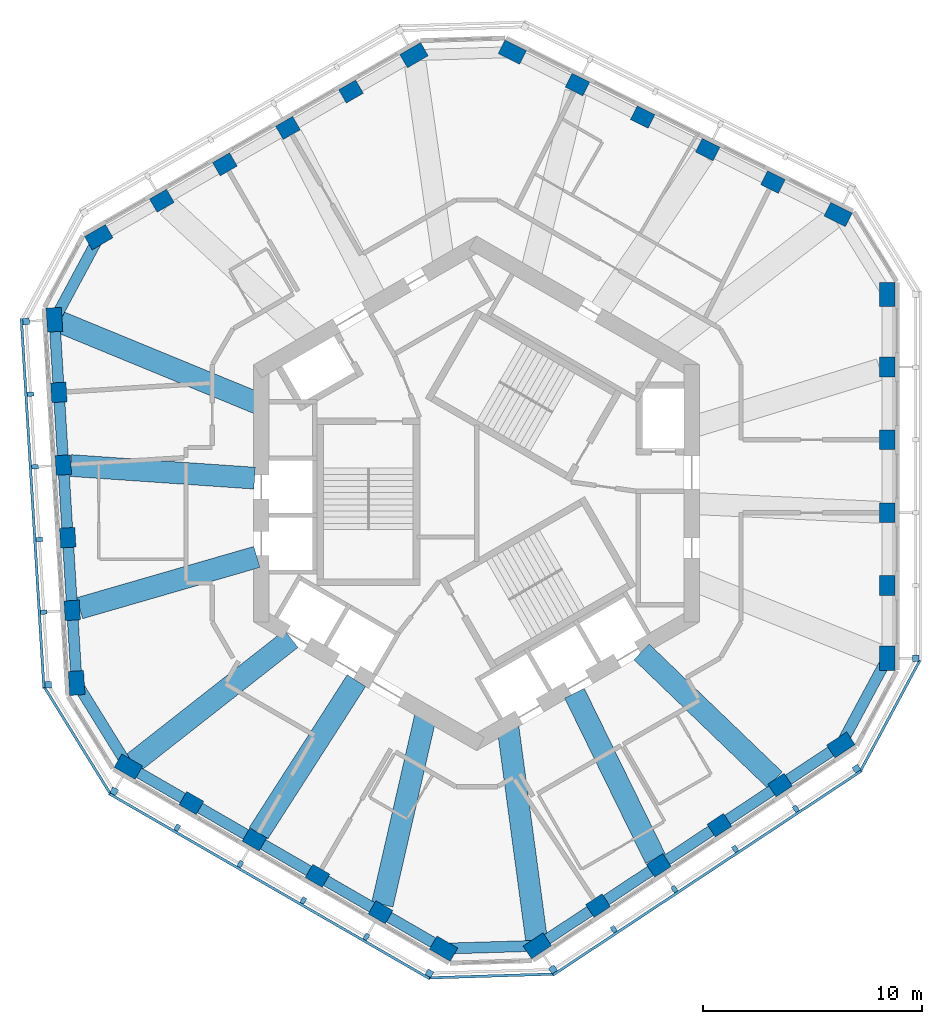
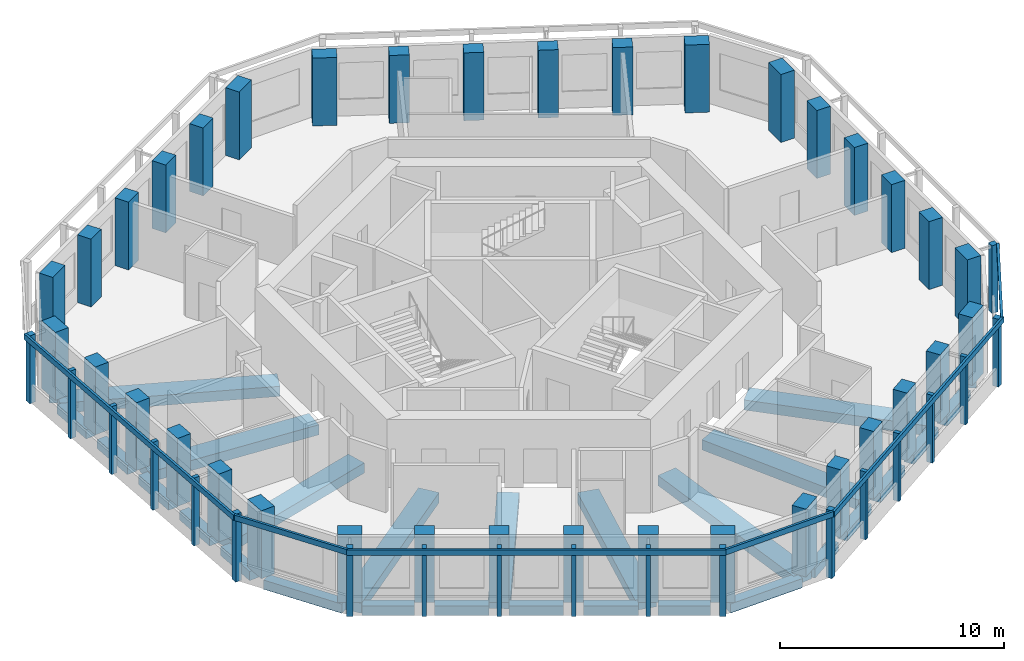
# One storey, part 1 of 10: 36 columns, 28 beams, 25 members, 7 elements without a shape of their own.
"""IFC4 building model written with IfcOpenShell, lengths in metres."""

from ifc_helpers import new_model, si_unit, direction, frame, origin, origin_2d, place, context, subcontext, project, spatial, rectangle, extrude, material, material_profile, profile_set, type_object, element, aggregate, save


model = new_model("IFC4")

# Units and contexts
model_context = context("Model", 3, precision=1e-05, world=origin(), true_north=direction((0.0, 1.0)))
body_context = subcontext(model_context, "Body", "Model", "MODEL_VIEW")
ifc_project = project(units=[si_unit("LENGTHUNIT", "METRE"), si_unit("AREAUNIT", "SQUARE_METRE"), si_unit("VOLUMEUNIT", "CUBIC_METRE"), si_unit("PLANEANGLEUNIT", "RADIAN"), si_unit("MASSUNIT", "GRAM", prefix="KILO")], contexts=[model_context])

# Site, building, storey
site_placement = place(None, origin())
site = spatial("IfcSite", under=ifc_project, at=site_placement, CompositionType="ELEMENT")
building_placement = place(site_placement, origin())
building = spatial("IfcBuilding", under=site, at=building_placement, Name="Vanh Sen Convention Tower", CompositionType="ELEMENT")
storey_placement = place(building_placement, frame((0.0, 0.0, 267.199951171875)))
storey = spatial("IfcBuildingStorey", under=building, at=storey_placement, Name="L66", CompositionType="ELEMENT", Elevation=267.199951171875)

# Columns
ifc_material_1 = material(Name="Concrete C60/75", Category="concrete")
ifc_material_profile_1 = material_profile(ifc_material_1, rectangle(XDim=0.89990234375, YDim=0.699951171875, at=origin_2d()), Name="RC 900X700")
ifc_profile_set_1 = profile_set([ifc_material_profile_1], Name="Concrete C60/75")
column_type_1 = type_object("IfcColumnType", Name="Facade column 900 x 700 C60/75", PredefinedType="COLUMN", material=ifc_profile_set_1)
for number, where, z_axis, x_axis, name in (
    (1, (18.800048828125, -4.215087890625, 0.0), (0.0, 0.0, 1.0), (0.0, 1.0, 0.0), "Facade column 02 L66"),
    (2, (18.800048828125, -0.88330078125, 0.0), (0.0, 0.0, 1.0), (0.0, 1.0, 0.0), "Facade column 03 L66"),
    (3, (18.800048828125, 2.4482421875, 0.0), (0.0, 0.0, 1.0), (0.0, 1.0, 0.0), "Facade column 04 L66"),
    (4, (18.800048828125, 5.77978515625, 0.0), (0.0, 0.0, 1.0), (0.0, 1.0, 0.0), "Facade column 05 L66"),
    (5, (13.56103515625, 14.245849609375, 0.0), (0.0, 0.0, 1.0), (-0.894934361602, 0.44619781311, 0.0), "Facade column 08 L66"),
    (6, (10.57958984375, 15.732421875, 0.0), (0.0, 0.0, 1.0), (-0.894934361602, 0.44619781311, 0.0), "Facade column 09 L66"),
    (7, (7.597900390625, 17.218994140625, 0.0), (0.0, 0.0, 1.0), (-0.894934361602, 0.44619781311, 0.0), "Facade column 10 L66"),
    (8, (4.6162109375, 18.70556640625, 0.0), (0.0, 0.0, 1.0), (-0.894934361602, 0.44619781311, 0.0), "Facade column 11 L66"),
    (9, (-5.74951171875, 18.388916015625, 0.0), (0.0, 0.0, 1.0), (-0.866025403784, -0.5, 0.0), "Facade column 14 L66"),
    (10, (-8.635009765625, 16.722900390625, 0.0), (0.0, 0.0, 1.0), (-0.866025403784, -0.5, 0.0), "Facade column 15 L66"),
    (11, (-11.520263671875, 15.05712890625, 0.0), (0.0, 0.0, 1.0), (-0.866025403784, -0.5, 0.0), "Facade column 16 L66"),
    (12, (-14.405517578125, 13.391357421875, 0.0), (0.0, 0.0, 1.0), (-0.866025403784, -0.5, 0.0), "Facade column 17 L66"),
    (13, (-19.117919921875, 4.621337890625, 0.0), (0.0, 0.0, 1.0), (0.061048539535, -0.998134798422, 0.0), "Facade column 20 L66"),
    (14, (-18.914306640625, 1.2958984375, 0.0), (0.0, 0.0, 1.0), (0.061048539535, -0.998134798422, 0.0), "Facade column 21 L66"),
    (15, (-18.7109375, -2.029541015625, 0.0), (0.0, 0.0, 1.0), (0.061048539535, -0.998134798422, 0.0), "Facade column 22 L66"),
    (16, (-18.507568359375, -5.35498046875, 0.0), (0.0, 0.0, 1.0), (0.061048539535, -0.998134798422, 0.0), "Facade column 23 L66"),
    (17, (-13.05029296875, -14.173583984375, 0.0), (0.0, 0.0, 1.0), (0.866025403784, -0.5, 0.0), "Facade column 26 L66"),
    (18, (-10.1650390625, -15.839599609375, 0.0), (0.0, 0.0, 1.0), (0.866025403784, -0.5, 0.0), "Facade column 27 L66"),
    (19, (-7.27978515625, -17.50537109375, 0.0), (0.0, 0.0, 1.0), (0.866025403784, -0.5, 0.0), "Facade column 28 L66"),
    (20, (-4.39453125, -19.171142578125, 0.0), (0.0, 0.0, 1.0), (0.866025403784, -0.5, 0.0), "Facade column 29 L66"),
    (21, (5.556640625, -18.8671875, 0.0), (0.0, 0.0, 1.0), (0.833885822067, 0.551936985312, 0.0), "Facade column 32 L66"),
    (22, (8.3349609375, -17.0283203125, 0.0), (0.0, 0.0, 1.0), (0.833885822067, 0.551936985312, 0.0), "Facade column 33 L66"),
    (23, (11.113037109375, -15.189453125, 0.0), (0.0, 0.0, 1.0), (0.833885822067, 0.551936985312, 0.0), "Facade column 34 L66"),
    (24, (13.891357421875, -13.3505859375, 0.0), (0.0, 0.0, 1.0), (0.833885822067, 0.551936985312, 0.0), "Facade column 35 L66"),
):
    element("IfcColumn", number, at=place(storey_placement, frame(where, z_axis=z_axis, x_axis=x_axis)), inside=storey, type_object=column_type_1, Name=name, PredefinedType="COLUMN", context=body_context, shape_type="SweptSolid", body=[
        extrude(rectangle(XDim=0.89990234375, YDim=0.699951171875, at=origin_2d()), origin(), (0.0, 0.0, 1.0), 3.699951171875),
    ])
ifc_material_profile_2 = material_profile(ifc_material_1, rectangle(XDim=1.10009765625, YDim=0.699951171875, at=origin_2d()), Name="RC 1100X700")
ifc_profile_set_2 = profile_set([ifc_material_profile_2], Name="Concrete C60/75")
column_type_2 = type_object("IfcColumnType", Name="Facade corner column 1100 x 700 C60/75", PredefinedType="COLUMN", material=ifc_profile_set_2)
for number, where, z_axis, x_axis, name in (
    (25, (18.800048828125, -7.546630859375, 0.0), (0.0, 0.0, 1.0), (0.0, 1.0, 0.0), "Facade column 01 L66"),
    (26, (18.800048828125, 9.111572265625, 0.0), (0.0, 0.0, 1.0), (0.0, 1.0, 0.0), "Facade column 06 L66"),
    (27, (16.542724609375, 12.75927734375, 0.0), (0.0, 0.0, 1.0), (-0.894934361602, 0.44619781311, 0.0), "Facade column 07 L66"),
    (28, (1.634765625, 20.192138671875, 0.0), (0.0, 0.0, 1.0), (-0.894934361602, 0.44619781311, 0.0), "Facade column 12 L66"),
    (29, (-2.8642578125, 20.0546875, 0.0), (0.0, 0.0, 1.0), (-0.866025403784, -0.5, 0.0), "Facade column 13 L66"),
    (30, (-17.290771484375, 11.7255859375, 0.0), (0.0, 0.0, 1.0), (-0.866025403784, -0.5, 0.0), "Facade column 18 L66"),
    (31, (-19.3212890625, 7.94677734375, 0.0), (0.0, 0.0, 1.0), (0.061048539535, -0.998134798422, 0.0), "Facade column 19 L66"),
    (32, (-18.30419921875, -8.680419921875, 0.0), (0.0, 0.0, 1.0), (0.061048539535, -0.998134798422, 0.0), "Facade column 24 L66"),
    (33, (-15.935791015625, -12.5078125, 0.0), (0.0, 0.0, 1.0), (0.866025403784, -0.5, 0.0), "Facade column 25 L66"),
    (34, (-1.50927734375, -20.8369140625, 0.0), (0.0, 0.0, 1.0), (0.866025403784, -0.5, 0.0), "Facade column 30 L66"),
    (35, (2.7783203125, -20.7060546875, 0.0), (0.0, 0.0, 1.0), (0.833885822067, 0.551936985312, 0.0), "Facade column 31 L66"),
    (36, (16.66943359375, -11.51171875, 0.0), (0.0, 0.0, 1.0), (0.833885822067, 0.551936985312, 0.0), "Facade column 36 L66"),
):
    element("IfcColumn", number, at=place(storey_placement, frame(where, z_axis=z_axis, x_axis=x_axis)), inside=storey, type_object=column_type_2, Name=name, PredefinedType="COLUMN", context=body_context, shape_type="SweptSolid", body=[
        extrude(rectangle(XDim=1.10009765625, YDim=0.699951171875, at=origin_2d()), origin(), (0.0, 0.0, 1.0), 3.699951171875),
    ])

# Curtain wall, member
ifc_material_2 = material(Name="Concrete C50/60", Category="concrete")
curtain_wall_type = type_object("IfcCurtainWallType", Name="Outer skin office zone", PredefinedType="NOTDEFINED", material=ifc_material_2)
curtain_wall_1_placement = place(storey_placement, origin())
curtain_wall_1 = element("IfcCurtainWall", 37, at=curtain_wall_1_placement, inside=storey, type_object=curtain_wall_type, Name="OUTER SKIN E L66", PredefinedType="NOTDEFINED")
ifc_material_profile_3 = material_profile(ifc_material_2, rectangle(XDim=0.300048828125, YDim=0.300048828125, at=origin_2d()), Name="Outer skin precast corner fin 300 x 300")
ifc_profile_set_3 = profile_set([ifc_material_profile_3], Name="Concrete C50/60")
member_type_1 = type_object("IfcMemberType", Name="Outer skin precast corner fin 300 x 300", PredefinedType="MULLION", material=ifc_profile_set_3)
member_1_placement = place(storey_placement, frame((20.10009765625, -7.546630859375, 0.0), z_axis=(0.0, 0.0, 1.0), x_axis=(0.0, 1.0, 0.0)))
member_1 = element("IfcMember", 38, at=member_1_placement, type_object=member_type_1, Name="OUTER SKIN CORNER FIN 1 E L66", PredefinedType="MULLION", context=body_context, shape_type="SweptSolid", body=[
    extrude(rectangle(XDim=0.300048828125, YDim=0.300048828125, at=origin_2d()), origin(), (0.0, 0.0, 1.0), 3.699951171875),
])
aggregate(curtain_wall_1, [member_1])

# Curtain wall, members
curtain_wall_2_placement = place(storey_placement, origin())
curtain_wall_2 = element("IfcCurtainWall", 39, at=curtain_wall_2_placement, inside=storey, type_object=curtain_wall_type, Name="OUTER SKIN W L66", PredefinedType="NOTDEFINED")
member_2_placement = place(storey_placement, frame((-20.618896484375, 7.867431640625, 0.0), z_axis=(0.0, 0.0, 1.0), x_axis=(0.061048539535, -0.998134798422, 0.0)))
member_2 = element("IfcMember", 40, at=member_2_placement, type_object=member_type_1, Name="OUTER SKIN CORNER FIN 1 W L66", PredefinedType="MULLION", context=body_context, shape_type="SweptSolid", body=[
    extrude(rectangle(XDim=0.300048828125, YDim=0.300048828125, at=origin_2d()), origin(), (0.0, 0.0, 1.0), 3.699951171875),
])
member_3_placement = place(storey_placement, frame((-19.601806640625, -8.759765625, 0.0), z_axis=(0.0, 0.0, 1.0), x_axis=(0.061048539535, -0.998134798422, 0.0)))
member_3 = element("IfcMember", 41, at=member_3_placement, type_object=member_type_1, Name="OUTER SKIN CORNER FIN 6 W L66", PredefinedType="MULLION", context=body_context, shape_type="SweptSolid", body=[
    extrude(rectangle(XDim=0.300048828125, YDim=0.300048828125, at=origin_2d()), origin(), (0.0, 0.0, 1.0), 3.699951171875),
])

curtain_wall_3_placement = place(storey_placement, origin())
curtain_wall_3 = element("IfcCurtainWall", 42, at=curtain_wall_3_placement, inside=storey, type_object=curtain_wall_type, Name="OUTER SKIN SW L66", PredefinedType="NOTDEFINED")
member_4_placement = place(storey_placement, frame((-16.585693359375, -13.6337890625, 0.0), z_axis=(0.0, 0.0, 1.0), x_axis=(0.866025403784, -0.5, 0.0)))
member_4 = element("IfcMember", 43, at=member_4_placement, type_object=member_type_1, Name="OUTER SKIN CORNER FIN 1 SW L66", PredefinedType="MULLION", context=body_context, shape_type="SweptSolid", body=[
    extrude(rectangle(XDim=0.300048828125, YDim=0.300048828125, at=origin_2d()), origin(), (0.0, 0.0, 1.0), 3.699951171875),
])
member_5_placement = place(storey_placement, frame((-2.1591796875, -21.962890625, 0.0), z_axis=(0.0, 0.0, 1.0), x_axis=(0.866025403784, -0.5, 0.0)))
member_5 = element("IfcMember", 44, at=member_5_placement, type_object=member_type_1, Name="OUTER SKIN CORNER FIN 6 SW L66", PredefinedType="MULLION", context=body_context, shape_type="SweptSolid", body=[
    extrude(rectangle(XDim=0.300048828125, YDim=0.300048828125, at=origin_2d()), origin(), (0.0, 0.0, 1.0), 3.699951171875),
])

curtain_wall_4_placement = place(storey_placement, origin())
curtain_wall_4 = element("IfcCurtainWall", 45, at=curtain_wall_4_placement, inside=storey, type_object=curtain_wall_type, Name="OUTER SKIN SE L66", PredefinedType="NOTDEFINED")
member_6_placement = place(storey_placement, frame((3.495849609375, -21.7900390625, 0.0), z_axis=(0.0, 0.0, 1.0), x_axis=(0.833885822067, 0.551936985312, 0.0)))
member_6 = element("IfcMember", 46, at=member_6_placement, type_object=member_type_1, Name="OUTER SKIN CORNER FIN 1 SE L66", PredefinedType="MULLION", context=body_context, shape_type="SweptSolid", body=[
    extrude(rectangle(XDim=0.300048828125, YDim=0.300048828125, at=origin_2d()), origin(), (0.0, 0.0, 1.0), 3.699951171875),
])
member_7_placement = place(storey_placement, frame((17.386962890625, -12.595703125, 0.0), z_axis=(0.0, 0.0, 1.0), x_axis=(0.833885822067, 0.551936985312, 0.0)))
member_7 = element("IfcMember", 47, at=member_7_placement, type_object=member_type_1, Name="OUTER SKIN CORNER FIN 6 SE L66", PredefinedType="MULLION", context=body_context, shape_type="SweptSolid", body=[
    extrude(rectangle(XDim=0.300048828125, YDim=0.300048828125, at=origin_2d()), origin(), (0.0, 0.0, 1.0), 3.699951171875),
])

# Member
ifc_material_profile_4 = material_profile(ifc_material_2, rectangle(XDim=0.199951171875, YDim=0.300048828125, at=origin_2d()), Name="Outer skin precast fin 200 x 300")
ifc_profile_set_4 = profile_set([ifc_material_profile_4], Name="Concrete C50/60")
member_type_2 = type_object("IfcMemberType", Name="Outer skin precast fin 200 x 300", PredefinedType="MULLION", material=ifc_profile_set_4)
member_8_placement = place(storey_placement, frame((-20.415283203125, 4.5419921875, 0.0), z_axis=(0.0, 0.0, 1.0), x_axis=(0.061048539535, -0.998134798422, 0.0)))
member_8 = element("IfcMember", 48, at=member_8_placement, type_object=member_type_2, Name="OUTER SKIN fin 2 W L66", PredefinedType="MULLION", context=body_context, shape_type="SweptSolid", body=[
    extrude(rectangle(XDim=0.199951171875, YDim=0.300048828125, at=origin_2d()), origin(), (0.0, 0.0, 1.0), 3.699951171875),
])

member_9_placement = place(storey_placement, frame((-20.2119140625, 1.216552734375, 0.0), z_axis=(0.0, 0.0, 1.0), x_axis=(0.061048539535, -0.998134798422, 0.0)))
member_9 = element("IfcMember", 49, at=member_9_placement, type_object=member_type_2, Name="OUTER SKIN fin 3 W L66", PredefinedType="MULLION", context=body_context, shape_type="SweptSolid", body=[
    extrude(rectangle(XDim=0.199951171875, YDim=0.300048828125, at=origin_2d()), origin(), (0.0, 0.0, 1.0), 3.699951171875),
])

member_10_placement = place(storey_placement, frame((-20.008544921875, -2.10888671875, 0.0), z_axis=(0.0, 0.0, 1.0), x_axis=(0.061048539535, -0.998134798422, 0.0)))
member_10 = element("IfcMember", 50, at=member_10_placement, type_object=member_type_2, Name="OUTER SKIN fin 4 W L66", PredefinedType="MULLION", context=body_context, shape_type="SweptSolid", body=[
    extrude(rectangle(XDim=0.199951171875, YDim=0.300048828125, at=origin_2d()), origin(), (0.0, 0.0, 1.0), 3.699951171875),
])

member_11_placement = place(storey_placement, frame((-19.80517578125, -5.434326171875, 0.0), z_axis=(0.0, 0.0, 1.0), x_axis=(0.061048539535, -0.998134798422, 0.0)))
member_11 = element("IfcMember", 51, at=member_11_placement, type_object=member_type_2, Name="OUTER SKIN fin 5 W L66", PredefinedType="MULLION", context=body_context, shape_type="SweptSolid", body=[
    extrude(rectangle(XDim=0.199951171875, YDim=0.300048828125, at=origin_2d()), origin(), (0.0, 0.0, 1.0), 3.699951171875),
])

member_12_placement = place(storey_placement, frame((-13.700439453125, -15.299560546875, 0.0), z_axis=(0.0, 0.0, 1.0), x_axis=(0.866025403784, -0.5, 0.0)))
member_12 = element("IfcMember", 52, at=member_12_placement, type_object=member_type_2, Name="OUTER SKIN fin 2 SW L66", PredefinedType="MULLION", context=body_context, shape_type="SweptSolid", body=[
    extrude(rectangle(XDim=0.199951171875, YDim=0.300048828125, at=origin_2d()), origin(), (0.0, 0.0, 1.0), 3.699951171875),
])

member_13_placement = place(storey_placement, frame((-10.815185546875, -16.96533203125, 0.0), z_axis=(0.0, 0.0, 1.0), x_axis=(0.866025403784, -0.5, 0.0)))
member_13 = element("IfcMember", 53, at=member_13_placement, type_object=member_type_2, Name="OUTER SKIN fin 3 SW L66", PredefinedType="MULLION", context=body_context, shape_type="SweptSolid", body=[
    extrude(rectangle(XDim=0.199951171875, YDim=0.300048828125, at=origin_2d()), origin(), (0.0, 0.0, 1.0), 3.699951171875),
])

member_14_placement = place(storey_placement, frame((-7.9296875, -18.631103515625, 0.0), z_axis=(0.0, 0.0, 1.0), x_axis=(0.866025403784, -0.5, 0.0)))
member_14 = element("IfcMember", 54, at=member_14_placement, type_object=member_type_2, Name="OUTER SKIN fin 4 SW L66", PredefinedType="MULLION", context=body_context, shape_type="SweptSolid", body=[
    extrude(rectangle(XDim=0.199951171875, YDim=0.300048828125, at=origin_2d()), origin(), (0.0, 0.0, 1.0), 3.699951171875),
])

member_15_placement = place(storey_placement, frame((-5.04443359375, -20.297119140625, 0.0), z_axis=(0.0, 0.0, 1.0), x_axis=(0.866025403784, -0.5, 0.0)))
member_15 = element("IfcMember", 55, at=member_15_placement, type_object=member_type_2, Name="OUTER SKIN fin 5 SW L66", PredefinedType="MULLION", context=body_context, shape_type="SweptSolid", body=[
    extrude(rectangle(XDim=0.199951171875, YDim=0.300048828125, at=origin_2d()), origin(), (0.0, 0.0, 1.0), 3.699951171875),
])

member_16_placement = place(storey_placement, frame((6.274169921875, -19.951416015625, 0.0), z_axis=(0.0, 0.0, 1.0), x_axis=(0.833885822067, 0.551936985312, 0.0)))
member_16 = element("IfcMember", 56, at=member_16_placement, type_object=member_type_2, Name="OUTER SKIN fin 2 SE L66", PredefinedType="MULLION", context=body_context, shape_type="SweptSolid", body=[
    extrude(rectangle(XDim=0.199951171875, YDim=0.300048828125, at=origin_2d()), origin(), (0.0, 0.0, 1.0), 3.699951171875),
])

member_17_placement = place(storey_placement, frame((9.052490234375, -18.1123046875, 0.0), z_axis=(0.0, 0.0, 1.0), x_axis=(0.833885822067, 0.551936985312, 0.0)))
member_17 = element("IfcMember", 57, at=member_17_placement, type_object=member_type_2, Name="OUTER SKIN fin 3 SE L66", PredefinedType="MULLION", context=body_context, shape_type="SweptSolid", body=[
    extrude(rectangle(XDim=0.199951171875, YDim=0.300048828125, at=origin_2d()), origin(), (0.0, 0.0, 1.0), 3.699951171875),
])

member_18_placement = place(storey_placement, frame((11.83056640625, -16.273681640625, 0.0), z_axis=(0.0, 0.0, 1.0), x_axis=(0.833885822067, 0.551936985312, 0.0)))
member_18 = element("IfcMember", 58, at=member_18_placement, type_object=member_type_2, Name="OUTER SKIN fin 4 SE L66", PredefinedType="MULLION", context=body_context, shape_type="SweptSolid", body=[
    extrude(rectangle(XDim=0.199951171875, YDim=0.300048828125, at=origin_2d()), origin(), (0.0, 0.0, 1.0), 3.699951171875),
])

member_19_placement = place(storey_placement, frame((14.60888671875, -14.434814453125, 0.0), z_axis=(0.0, 0.0, 1.0), x_axis=(0.833885822067, 0.551936985312, 0.0)))
member_19 = element("IfcMember", 59, at=member_19_placement, type_object=member_type_2, Name="OUTER SKIN fin 5 SE L66", PredefinedType="MULLION", context=body_context, shape_type="SweptSolid", body=[
    extrude(rectangle(XDim=0.199951171875, YDim=0.300048828125, at=origin_2d()), origin(), (0.0, 0.0, 1.0), 3.699951171875),
])

ifc_material_profile_5 = material_profile(ifc_material_2, rectangle(XDim=0.1201171875, YDim=0.300048828125, at=origin_2d()), Name="Outer skin precast spandrel band 300 x 120")
ifc_profile_set_5 = profile_set([ifc_material_profile_5], Name="Concrete C50/60")
member_type_3 = type_object("IfcMemberType", Name="Outer skin precast spandrel band 300 x 120", PredefinedType="USERDEFINED", material=ifc_profile_set_5)
member_20_placement = place(storey_placement, frame((-20.83740234375, 8.00439453125, 3.550048828125), z_axis=(0.061040984027, -0.998135260508, 0.0), x_axis=(0.998135260508, 0.061040984027, 0.0)))
member_20 = element("IfcMember", 60, at=member_20_placement, type_object=member_type_3, Name="OUTER SKIN spandrel band W L66", ObjectType="TRANSOM", PredefinedType="USERDEFINED", context=body_context, shape_type="SweptSolid", body=[
    extrude(rectangle(XDim=0.1201171875, YDim=0.300048828125, at=origin_2d()), origin(), (0.0, 0.0, 1.0), 16.95849609375),
])

aggregate(curtain_wall_2, [member_2, member_8, member_9, member_10, member_11, member_3, member_20])

# Curtain wall, member
curtain_wall_5_placement = place(storey_placement, origin())
curtain_wall_5 = element("IfcCurtainWall", 61, at=curtain_wall_5_placement, inside=storey, type_object=curtain_wall_type, Name="OUTER SKIN CH4 L66", PredefinedType="NOTDEFINED")
member_21_placement = place(storey_placement, frame((-19.7802734375, -8.870361328125, 3.550048828125), z_axis=(0.526199162152, -0.850361359512, 0.0), x_axis=(0.850361359512, 0.526199162152, 0.0)))
member_21 = element("IfcMember", 62, at=member_21_placement, type_object=member_type_3, Name="OUTER SKIN spandrel band CH4 L66", ObjectType="TRANSOM", PredefinedType="USERDEFINED", context=body_context, shape_type="SweptSolid", body=[
    extrude(rectangle(XDim=0.1201171875, YDim=0.300048828125, at=origin_2d()), origin(), (0.0, 0.0, 1.0), 5.7314453125),
])
aggregate(curtain_wall_5, [member_21])

# Member
member_22_placement = place(storey_placement, frame((-16.820556640625, -13.740478515625, 3.550048828125), z_axis=(0.866022320763, -0.500005339912, 0.0), x_axis=(0.500005339912, 0.866022320763, 0.0)))
member_22 = element("IfcMember", 63, at=member_22_placement, type_object=member_type_3, Name="OUTER SKIN spandrel band SW L66", ObjectType="TRANSOM", PredefinedType="USERDEFINED", context=body_context, shape_type="SweptSolid", body=[
    extrude(rectangle(XDim=0.1201171875, YDim=0.300048828125, at=origin_2d()), origin(), (0.0, 0.0, 1.0), 16.958251953125),
])

aggregate(curtain_wall_3, [member_4, member_12, member_13, member_14, member_15, member_5, member_22])

# Curtain wall, member
curtain_wall_6_placement = place(storey_placement, origin())
curtain_wall_6 = element("IfcCurtainWall", 64, at=curtain_wall_6_placement, inside=storey, type_object=curtain_wall_type, Name="OUTER SKIN CH5 L66", PredefinedType="NOTDEFINED")
member_23_placement = place(storey_placement, frame((-2.15283203125, -22.172607421875, 3.550048828125), z_axis=(0.999534504066, 0.030508608314, 0.0), x_axis=(-0.030508608314, 0.999534504066, 0.0)))
member_23 = element("IfcMember", 65, at=member_23_placement, type_object=member_type_3, Name="OUTER SKIN spandrel band CH5 L66", ObjectType="TRANSOM", PredefinedType="USERDEFINED", context=body_context, shape_type="SweptSolid", body=[
    extrude(rectangle(XDim=0.1201171875, YDim=0.300048828125, at=origin_2d()), origin(), (0.0, 0.0, 1.0), 5.65771484375),
])
aggregate(curtain_wall_6, [member_23])

# Member
member_24_placement = place(storey_placement, frame((3.48681640625, -22.048095703125, 3.550048828125), z_axis=(0.833877443168, 0.551949644239, 0.0), x_axis=(-0.551949644239, 0.833877443168, 0.0)))
member_24 = element("IfcMember", 66, at=member_24_placement, type_object=member_type_3, Name="OUTER SKIN spandrel band SE L66", ObjectType="TRANSOM", PredefinedType="USERDEFINED", context=body_context, shape_type="SweptSolid", body=[
    extrude(rectangle(XDim=0.1201171875, YDim=0.300048828125, at=origin_2d()), origin(), (0.0, 0.0, 1.0), 16.958251953125),
])

aggregate(curtain_wall_4, [member_6, member_16, member_17, member_18, member_19, member_7, member_24])

# Curtain wall, member
curtain_wall_7_placement = place(storey_placement, origin())
curtain_wall_7 = element("IfcCurtainWall", 67, at=curtain_wall_7_placement, inside=storey, type_object=curtain_wall_type, Name="OUTER SKIN CH6 L66", PredefinedType="NOTDEFINED")
member_25_placement = place(storey_placement, frame((17.572021484375, -12.695068359375, 3.550048828125), z_axis=(0.473309680768, 0.880896104028, 0.0), x_axis=(-0.880896104028, 0.473309680768, 0.0)))
member_25 = element("IfcMember", 68, at=member_25_placement, type_object=member_type_3, Name="OUTER SKIN spandrel band CH6 L66", ObjectType="TRANSOM", PredefinedType="USERDEFINED", context=body_context, shape_type="SweptSolid", body=[
    extrude(rectangle(XDim=0.1201171875, YDim=0.300048828125, at=origin_2d()), origin(), (0.0, 0.0, 1.0), 5.731689453125),
])
aggregate(curtain_wall_7, [member_25])

# Beams
ifc_material_3 = material(Name="Concrete C50/60", Category="concrete")
ifc_material_profile_6 = material_profile(ifc_material_3, rectangle(XDim=1.0, YDim=0.550048828125, at=origin_2d()), Name="RC 1000X550")
ifc_profile_set_6 = profile_set([ifc_material_profile_6], Name="Concrete C50/60")
beam_type_1 = type_object("IfcBeamType", Name="Radial floor beam 1000 x 550", PredefinedType="BEAM", material=ifc_profile_set_6)
beam_1_placement = place(storey_placement, frame((-19.190185546875, 7.892822265625, -0.554931640625), z_axis=(0.924828718845, -0.380383807225, 0.0), x_axis=(0.380383807225, 0.924828718845, 0.0)))
element("IfcBeam", 69, at=beam_1_placement, inside=storey, type_object=beam_type_1, Name="Radial beam 10 L66", PredefinedType="BEAM", context=body_context, shape_type="SweptSolid", body=[
    extrude(rectangle(XDim=1.0, YDim=0.550048828125, at=origin_2d()), origin(), (0.0, 0.0, 1.0), 9.931640625),
])
beam_2_placement = place(storey_placement, frame((-18.5673828125, 1.272216796875, -0.554931640625), z_axis=(0.997661428588, -0.068349644528, 0.0), x_axis=(0.068349644528, 0.997661428588, 0.0)))
element("IfcBeam", 70, at=beam_2_placement, inside=storey, type_object=beam_type_1, Name="Radial beam 11 L66", PredefinedType="BEAM", context=body_context, shape_type="SweptSolid", body=[
    extrude(rectangle(XDim=1.0, YDim=0.550048828125, at=origin_2d()), origin(), (0.0, 0.0, 1.0), 8.42626953125),
])
beam_3_placement = place(storey_placement, frame((-18.167724609375, -5.256591796875, -0.554931640625), z_axis=(0.96060103798, 0.277931009123, 0.0), x_axis=(-0.277931009123, 0.96060103798, 0.0)))
element("IfcBeam", 71, at=beam_3_placement, inside=storey, type_object=beam_type_1, Name="Radial beam 12 L66", PredefinedType="BEAM", context=body_context, shape_type="SweptSolid", body=[
    extrude(rectangle(XDim=1.0, YDim=0.550048828125, at=origin_2d()), origin(), (0.0, 0.0, 1.0), 8.4443359375),
])
beam_4_placement = place(storey_placement, frame((-15.80078125, -12.402099609375, -0.554931640625), z_axis=(0.786625185618, 0.617430819891, 0.0), x_axis=(-0.617430819891, 0.786625185618, 0.0)))
element("IfcBeam", 72, at=beam_4_placement, inside=storey, type_object=beam_type_1, Name="Radial beam 13 L66", PredefinedType="BEAM", context=body_context, shape_type="SweptSolid", body=[
    extrude(rectangle(XDim=1.0, YDim=0.550048828125, at=origin_2d()), origin(), (0.0, 0.0, 1.0), 9.30126953125),
])
beam_5_placement = place(storey_placement, frame((-9.978515625, -15.548828125, -0.554931640625), z_axis=(0.540096753763, 0.841602932846, 0.0), x_axis=(-0.841602932846, 0.540096753763, 0.0)))
element("IfcBeam", 73, at=beam_5_placement, inside=storey, type_object=beam_type_1, Name="Radial beam 14 L66", PredefinedType="BEAM", context=body_context, shape_type="SweptSolid", body=[
    extrude(rectangle(XDim=1.0, YDim=0.550048828125, at=origin_2d()), origin(), (0.0, 0.0, 1.0), 8.29248046875),
])
beam_6_placement = place(storey_placement, frame((-4.313720703125, -18.819091796875, -0.554931640625), z_axis=(0.22340967383, 0.974724636828, 0.0), x_axis=(-0.974724636828, 0.22340967383, 0.0)))
element("IfcBeam", 74, at=beam_6_placement, inside=storey, type_object=beam_type_1, Name="Radial beam 15 L66", PredefinedType="BEAM", context=body_context, shape_type="SweptSolid", body=[
    extrude(rectangle(XDim=1.0, YDim=0.550048828125, at=origin_2d()), origin(), (0.0, 0.0, 1.0), 8.794921875),
])
beam_7_placement = place(storey_placement, frame((2.759521484375, -20.565673828125, -0.554931640625), z_axis=(-0.132991320609, 0.991117202274, 0.0), x_axis=(-0.991117202274, -0.132991320609, 0.0)))
element("IfcBeam", 75, at=beam_7_placement, inside=storey, type_object=beam_type_1, Name="Radial beam 16 L66", PredefinedType="BEAM", context=body_context, shape_type="SweptSolid", body=[
    extrude(rectangle(XDim=1.0, YDim=0.550048828125, at=origin_2d()), origin(), (0.0, 0.0, 1.0), 9.931396484375),
])
beam_8_placement = place(storey_placement, frame((8.181884765625, -16.7158203125, -0.554931640625), z_axis=(-0.43962945739, 0.898179236119, 0.0), x_axis=(-0.898179236119, -0.43962945739, 0.0)))
element("IfcBeam", 76, at=beam_8_placement, inside=storey, type_object=beam_type_1, Name="Radial beam 17 L66", PredefinedType="BEAM", context=body_context, shape_type="SweptSolid", body=[
    extrude(rectangle(XDim=1.0, YDim=0.550048828125, at=origin_2d()), origin(), (0.0, 0.0, 1.0), 8.426025390625),
])
beam_9_placement = place(storey_placement, frame((13.63623046875, -13.10546875, -0.554931640625), z_axis=(-0.721004158524, 0.692930734916, 0.0), x_axis=(-0.692930734916, -0.721004158524, 0.0)))
element("IfcBeam", 77, at=beam_9_placement, inside=storey, type_object=beam_type_1, Name="Radial beam 18 L66", PredefinedType="BEAM", context=body_context, shape_type="SweptSolid", body=[
    extrude(rectangle(XDim=1.0, YDim=0.550048828125, at=origin_2d()), origin(), (0.0, 0.0, 1.0), 8.4443359375),
])
ifc_material_profile_7 = material_profile(ifc_material_3, rectangle(XDim=0.5, YDim=0.5, at=origin_2d()), Name="RC 500X500")
ifc_profile_set_7 = profile_set([ifc_material_profile_7], Name="Concrete C50/60")
beam_type_2 = type_object("IfcBeamType", Name="Spandrel beam 500 x 500", PredefinedType="SPANDREL", material=ifc_profile_set_7)
beam_10_placement = place(storey_placement, frame((-17.412109375, 11.5, -0.530029296875), z_axis=(-0.473286407819, -0.880908608298, 0.0), x_axis=(0.880908608298, -0.473286407819, 0.0)))
element("IfcBeam", 78, at=beam_10_placement, inside=storey, type_object=beam_type_2, Name="Spandrel beam 18 L66", PredefinedType="SPANDREL", context=body_context, shape_type="SweptSolid", body=[
    extrude(rectangle(XDim=0.5, YDim=0.5, at=origin_2d()), origin(), (0.0, 0.0, 1.0), 3.777587890625),
])
beam_11_placement = place(storey_placement, frame((-19.287841796875, 7.40283203125, -0.530029296875), z_axis=(0.060989239379, -0.998138423607, 0.0), x_axis=(0.998138423607, 0.060989239379, 0.0)))
element("IfcBeam", 79, at=beam_11_placement, inside=storey, type_object=beam_type_2, Name="Spandrel beam 19 L66", PredefinedType="SPANDREL", context=body_context, shape_type="SweptSolid", body=[
    extrude(rectangle(XDim=0.5, YDim=0.5, at=origin_2d()), origin(), (0.0, 0.0, 1.0), 2.341796875),
])
for number, where, z_axis, x_axis, name in (
    (80, (-19.090576171875, 4.17724609375, -0.530029296875), (0.060990123754, -0.998138369568, 0.0), (0.998138369568, 0.060990123754, 0.0), "Spandrel beam 20 L66"),
    (81, (-18.88720703125, 0.851806640625, -0.530029296875), (0.060990123754, -0.998138369568, 0.0), (0.998138369568, 0.060990123754, 0.0), "Spandrel beam 21 L66"),
    (82, (-18.683837890625, -2.4736328125, -0.530029296875), (0.060990123754, -0.998138369568, 0.0), (0.998138369568, 0.060990123754, 0.0), "Spandrel beam 22 L66"),
):
    element("IfcBeam", number, at=place(storey_placement, frame(where, z_axis=z_axis, x_axis=x_axis)), inside=storey, type_object=beam_type_2, Name=name, PredefinedType="SPANDREL", context=body_context, shape_type="SweptSolid", body=[
        extrude(rectangle(XDim=0.5, YDim=0.5, at=origin_2d()), origin(), (0.0, 0.0, 1.0), 2.44189453125),
    ])
beam_12_placement = place(storey_placement, frame((-18.48046875, -5.799072265625, -0.530029296875), z_axis=(0.061093105701, -0.99813207164, 0.0), x_axis=(0.99813207164, 0.061093105701, 0.0)))
element("IfcBeam", 83, at=beam_12_placement, inside=storey, type_object=beam_type_2, Name="Spandrel beam 23 L66", PredefinedType="SPANDREL", context=body_context, shape_type="SweptSolid", body=[
    extrude(rectangle(XDim=0.5, YDim=0.5, at=origin_2d()), origin(), (0.0, 0.0, 1.0), 2.341796875),
])
beam_13_placement = place(storey_placement, frame((-18.16259765625, -8.9091796875, -0.530029296875), z_axis=(0.526189173519, -0.850367540344, 0.0), x_axis=(0.850367540344, 0.526189173519, 0.0)))
element("IfcBeam", 84, at=beam_13_placement, inside=storey, type_object=beam_type_2, Name="Spandrel beam 24 L66", PredefinedType="SPANDREL", context=body_context, shape_type="SweptSolid", body=[
    extrude(rectangle(XDim=0.5, YDim=0.5, at=origin_2d()), origin(), (0.0, 0.0, 1.0), 3.962890625),
])
beam_14_placement = place(storey_placement, frame((-15.463623046875, -12.780517578125, -0.530029296875), z_axis=(0.866046683436, -0.499963140751, 0.0), x_axis=(0.499963140751, 0.866046683436, 0.0)))
element("IfcBeam", 85, at=beam_14_placement, inside=storey, type_object=beam_type_2, Name="Spandrel beam 25 L66", PredefinedType="SPANDREL", context=body_context, shape_type="SweptSolid", body=[
    extrude(rectangle(XDim=0.5, YDim=0.5, at=origin_2d()), origin(), (0.0, 0.0, 1.0), 2.341552734375),
])
for number, where, z_axis, x_axis, name in (
    (86, (-12.6650390625, -14.396240234375, -0.530029296875), (0.866000753341, -0.500042693391, 0.0), (0.500042693391, 0.866000753341, 0.0), "Spandrel beam 26 L66"),
    (87, (-9.77978515625, -16.06201171875, -0.530029296875), (0.866000753341, -0.500042693391, 0.0), (0.500042693391, 0.866000753341, 0.0), "Spandrel beam 27 L66"),
    (88, (-6.894287109375, -17.727783203125, -0.530029296875), (0.866000753341, -0.500042693391, 0.0), (0.500042693391, 0.866000753341, 0.0), "Spandrel beam 28 L66"),
):
    element("IfcBeam", number, at=place(storey_placement, frame(where, z_axis=z_axis, x_axis=x_axis)), inside=storey, type_object=beam_type_2, Name=name, PredefinedType="SPANDREL", context=body_context, shape_type="SweptSolid", body=[
        extrude(rectangle(XDim=0.5, YDim=0.5, at=origin_2d()), origin(), (0.0, 0.0, 1.0), 2.441650390625),
    ])
beam_15_placement = place(storey_placement, frame((-4.009033203125, -19.393798828125, -0.530029296875), z_axis=(0.866046683436, -0.499963140751, 0.0), x_axis=(0.499963140751, 0.866046683436, 0.0)))
element("IfcBeam", 89, at=beam_15_placement, inside=storey, type_object=beam_type_2, Name="Spandrel beam 29 L66", PredefinedType="SPANDREL", context=body_context, shape_type="SweptSolid", body=[
    extrude(rectangle(XDim=0.5, YDim=0.5, at=origin_2d()), origin(), (0.0, 0.0, 1.0), 2.341552734375),
])
beam_16_placement = place(storey_placement, frame((-1.253173828125, -20.8291015625, -0.530029296875), z_axis=(0.999534573751, 0.030506325174, 0.0), x_axis=(-0.030506325174, 0.999534573751, 0.0)))
element("IfcBeam", 90, at=beam_16_placement, inside=storey, type_object=beam_type_2, Name="Spandrel beam 30 L66", PredefinedType="SPANDREL", context=body_context, shape_type="SweptSolid", body=[
    extrude(rectangle(XDim=0.5, YDim=0.5, at=origin_2d()), origin(), (0.0, 0.0, 1.0), 3.77734375),
])
beam_17_placement = place(storey_placement, frame((3.23291015625, -20.4052734375, -0.530029296875), z_axis=(0.833874339702, 0.551954332881, 0.0), x_axis=(-0.551954332881, 0.833874339702, 0.0)))
element("IfcBeam", 91, at=beam_17_placement, inside=storey, type_object=beam_type_2, Name="Spandrel beam 31 L66", PredefinedType="SPANDREL", context=body_context, shape_type="SweptSolid", body=[
    extrude(rectangle(XDim=0.5, YDim=0.5, at=origin_2d()), origin(), (0.0, 0.0, 1.0), 2.341552734375),
])
beam_18_placement = place(storey_placement, frame((5.927734375, -18.62158203125, -0.530029296875), z_axis=(0.833891601137, 0.55192825399, 0.0), x_axis=(-0.55192825399, 0.833891601137, 0.0)))
element("IfcBeam", 92, at=beam_18_placement, inside=storey, type_object=beam_type_2, Name="Spandrel beam 32 L66", PredefinedType="SPANDREL", context=body_context, shape_type="SweptSolid", body=[
    extrude(rectangle(XDim=0.5, YDim=0.5, at=origin_2d()), origin(), (0.0, 0.0, 1.0), 2.441650390625),
])
beam_19_placement = place(storey_placement, frame((8.7060546875, -16.78271484375, -0.530029296875), z_axis=(0.833861138807, 0.551974275838, 0.0), x_axis=(-0.551974275838, 0.833861138807, 0.0)))
element("IfcBeam", 93, at=beam_19_placement, inside=storey, type_object=beam_type_2, Name="Spandrel beam 33 L66", PredefinedType="SPANDREL", context=body_context, shape_type="SweptSolid", body=[
    extrude(rectangle(XDim=0.5, YDim=0.5, at=origin_2d()), origin(), (0.0, 0.0, 1.0), 2.44140625),
])
beam_20_placement = place(storey_placement, frame((11.484130859375, -14.94384765625, -0.530029296875), z_axis=(0.833891601137, 0.55192825399, 0.0), x_axis=(-0.55192825399, 0.833891601137, 0.0)))
element("IfcBeam", 94, at=beam_20_placement, inside=storey, type_object=beam_type_2, Name="Spandrel beam 34 L66", PredefinedType="SPANDREL", context=body_context, shape_type="SweptSolid", body=[
    extrude(rectangle(XDim=0.5, YDim=0.5, at=origin_2d()), origin(), (0.0, 0.0, 1.0), 2.441650390625),
])
beam_21_placement = place(storey_placement, frame((14.262451171875, -13.10498046875, -0.530029296875), z_axis=(0.833874339702, 0.551954332881, 0.0), x_axis=(-0.551954332881, 0.833874339702, 0.0)))
element("IfcBeam", 95, at=beam_21_placement, inside=storey, type_object=beam_type_2, Name="Spandrel beam 35 L66", PredefinedType="SPANDREL", context=body_context, shape_type="SweptSolid", body=[
    extrude(rectangle(XDim=0.5, YDim=0.5, at=origin_2d()), origin(), (0.0, 0.0, 1.0), 2.341552734375),
])
beam_22_placement = place(storey_placement, frame((16.796875, -11.274658203125, -0.530029296875), z_axis=(0.473313460083, 0.880894073373, 0.0), x_axis=(-0.880894073373, 0.473313460083, 0.0)))
element("IfcBeam", 96, at=beam_22_placement, inside=storey, type_object=beam_type_2, Name="Spandrel beam 36 L66", PredefinedType="SPANDREL", context=body_context, shape_type="SweptSolid", body=[
    extrude(rectangle(XDim=0.5, YDim=0.5, at=origin_2d()), origin(), (0.0, 0.0, 1.0), 3.962890625),
])

save(model, "model.ifc")
